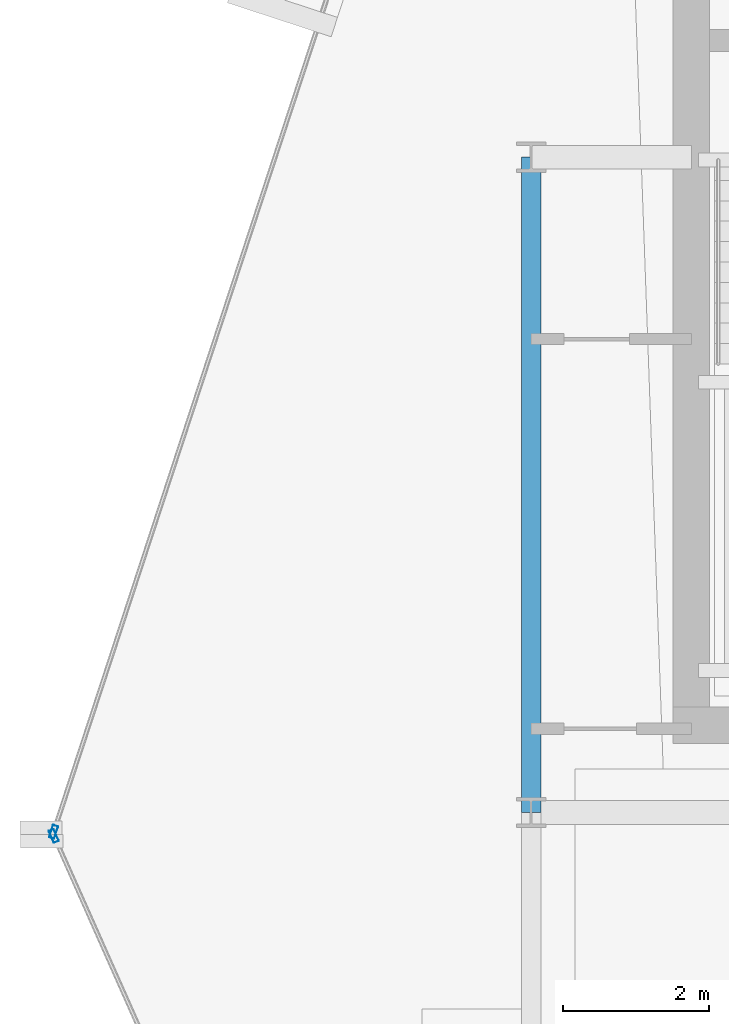
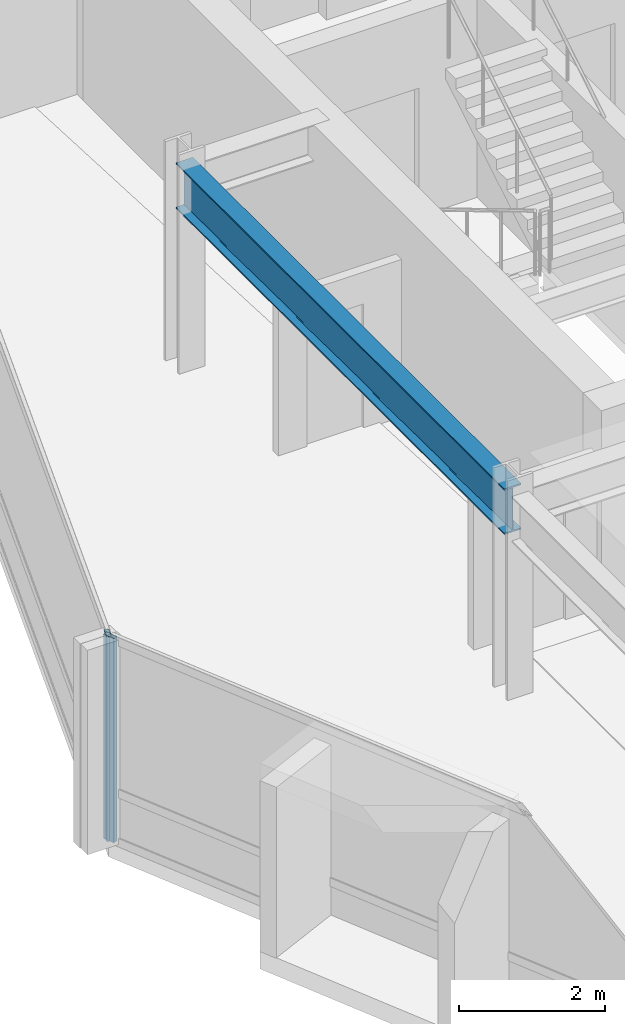
# One storey, part 6 of 27: 2 members, 1 beam, 2 elements without a shape of their own.
"""IFC4 building model written with IfcOpenShell, lengths in metres."""

from ifc_helpers import new_model, si_unit, direction, frame, origin, origin_2d, place, context, subcontext, project, spatial, hollow_rectangle, i_section, extrude, material, layer, layer_set, material_profile, profile_set, type_object, element, aggregate, save


model = new_model("IFC4")

# Units and contexts
model_context = context("Model", 3, precision=1e-05, world=origin(), true_north=direction((0.0, 1.0)))
body_context = subcontext(model_context, "Body", "Model", "MODEL_VIEW")
ifc_project = project(units=[si_unit("LENGTHUNIT", "METRE"), si_unit("AREAUNIT", "SQUARE_METRE"), si_unit("VOLUMEUNIT", "CUBIC_METRE"), si_unit("PLANEANGLEUNIT", "RADIAN"), si_unit("MASSUNIT", "GRAM", prefix="KILO")], contexts=[model_context])

# Site, building, storey
site_placement = place(None, origin())
site = spatial("IfcSite", under=ifc_project, at=site_placement, CompositionType="ELEMENT")
building_placement = place(site_placement, origin())
building = spatial("IfcBuilding", under=site, at=building_placement, Name="Solvaryn Broadcast Tower", CompositionType="ELEMENT")
storey_placement = place(building_placement, frame((0.0, 0.0, 189.0)))
storey = spatial("IfcBuildingStorey", under=building, at=storey_placement, Name="L47", CompositionType="ELEMENT", Elevation=189.0)

# Beam
ifc_material_1 = material(Name="Steel ASTM A992 Grade 50", Category="steel")
ifc_material_profile_1 = material_profile(ifc_material_1, i_section(OverallWidth=0.26708984375, OverallDepth=0.76611328125, WebThickness=0.014892578125, FlangeThickness=0.023681640625, FilletRadius=0.01806640625, at=origin_2d()))
ifc_profile_set_1 = profile_set([ifc_material_profile_1], Name="Steel ASTM A992 Grade 50")
beam_type = type_object("IfcBeamType", Name="BM-SP2-W30X124", PredefinedType="USERDEFINED", material=ifc_profile_set_1)
beam_placement = place(storey_placement, frame((9.0, 27.0, 3.037109375), z_axis=(0.0, 1.0, 0.0), x_axis=(-1.0, 0.0, 0.0)))
element("IfcBeam", 1, at=beam_placement, inside=storey, type_object=beam_type, Name="L47 Spandrel Beam Y (27-36 @ X=9)", ObjectType="SPANDREL", PredefinedType="USERDEFINED", context=body_context, shape_type="SweptSolid", body=[
    extrude(i_section(OverallWidth=0.26708984375, OverallDepth=0.76611328125, WebThickness=0.014892578125, FlangeThickness=0.023681640625, FilletRadius=0.01806640625, at=origin_2d()), origin(), (0.0, 0.0, 1.0), 9.0),
])

# Curtain wall, member
ifc_material_2 = material(Name="Aluminium and Terracotta Unitised Curtain Wall", Category="masonry")
ifc_layer = layer(ifc_material_2, 0.199951171875)
ifc_layer_set = layer_set([ifc_layer], Name="CW-SYS2-LOWMID")
curtain_wall_type = type_object("IfcCurtainWallType", Name="CW-SYS2-LOWMID", PredefinedType="NOTDEFINED", material=ifc_layer_set)
curtain_wall_1_placement = place(storey_placement, origin())
curtain_wall_1 = element("IfcCurtainWall", 2, at=curtain_wall_1_placement, inside=storey, type_object=curtain_wall_type, Name="L47 Curtain Wall DR1", PredefinedType="NOTDEFINED")
ifc_material_3 = material(Name="Anodised Aluminium 6063-T6", Category="aluminium")
ifc_material_profile_2 = material_profile(ifc_material_3, hollow_rectangle(XDim=0.074951171875, YDim=0.179931640625, WallThickness=0.00390625, InnerFilletRadius=0.00390625, OuterFilletRadius=0.008056640625, at=origin_2d()))
ifc_profile_set_2 = profile_set([ifc_material_profile_2], Name="Anodised Aluminium 6063-T6")
member_type = type_object("IfcMemberType", Name="CW-MUL-180", PredefinedType="MULLION", material=ifc_profile_set_2)
member_1_placement = place(storey_placement, frame((2.4423828125, 26.734619140625, 0.0), z_axis=(0.0, 0.0, 1.0), x_axis=(0.950226902099, -0.311558717623, 0.0)))
member_1 = element("IfcMember", 3, at=member_1_placement, type_object=member_type, Name="CWS2 mullion 2", PredefinedType="MULLION", context=body_context, shape_type="SweptSolid", body=[
    extrude(hollow_rectangle(XDim=0.074951171875, YDim=0.179931640625, WallThickness=0.00390625, InnerFilletRadius=0.00390625, OuterFilletRadius=0.008056640625, at=origin_2d()), origin(), (0.0, 0.0, 1.0), 3.419921875),
])
aggregate(curtain_wall_1, [member_1])

curtain_wall_2_placement = place(storey_placement, origin())
curtain_wall_2 = element("IfcCurtainWall", 4, at=curtain_wall_2_placement, inside=storey, type_object=curtain_wall_type, Name="L47 Curtain Wall DR2", PredefinedType="NOTDEFINED")
member_2_placement = place(storey_placement, frame((2.445068359375, 26.678466796875, 0.0), z_axis=(0.0, 0.0, 1.0), x_axis=(0.913916902365, 0.405901337237, 0.0)))
member_2 = element("IfcMember", 5, at=member_2_placement, type_object=member_type, Name="CWS2 mullion 1", PredefinedType="MULLION", context=body_context, shape_type="SweptSolid", body=[
    extrude(hollow_rectangle(XDim=0.074951171875, YDim=0.179931640625, WallThickness=0.00390625, InnerFilletRadius=0.00390625, OuterFilletRadius=0.008056640625, at=origin_2d()), origin(), (0.0, 0.0, 1.0), 3.419921875),
])
aggregate(curtain_wall_2, [member_2])

save(model, "model.ifc")
